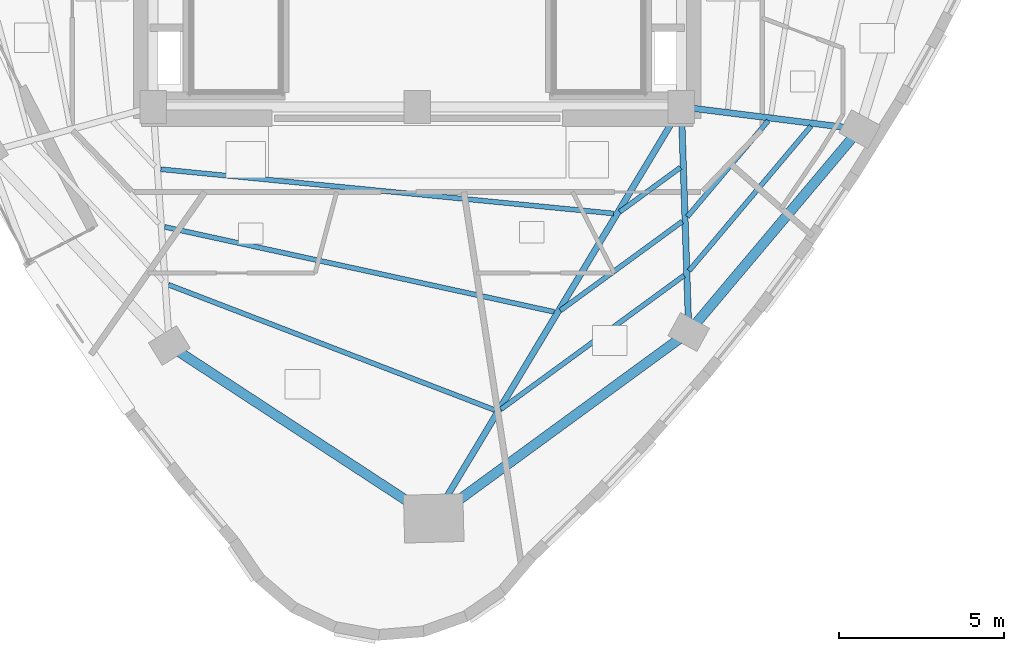
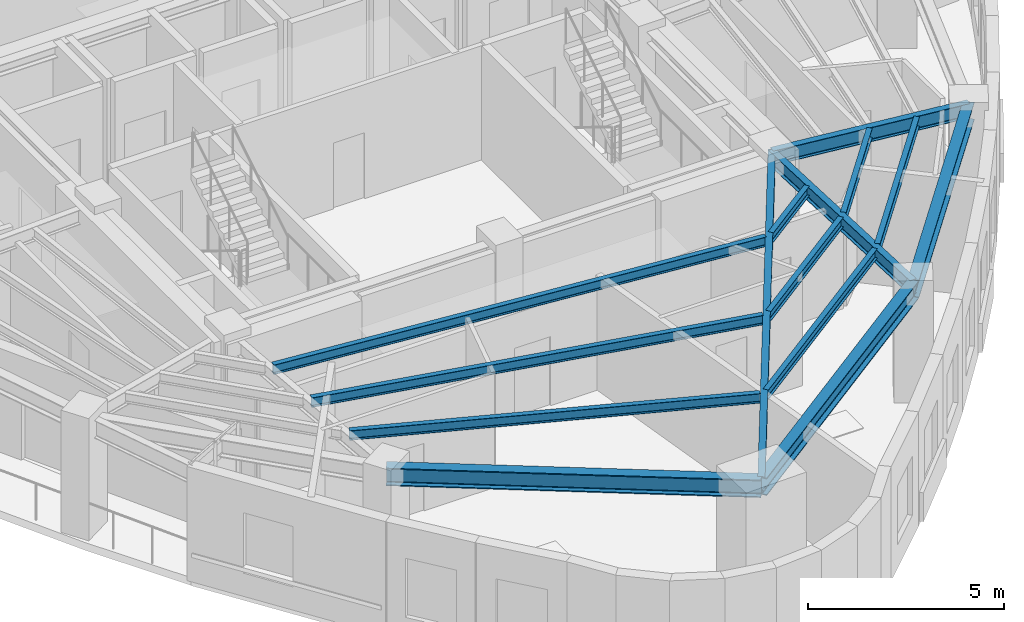
# One storey, part 3 of 12: 14 beams.
"""IFC4 building model written with IfcOpenShell, lengths in metres."""

from ifc_helpers import new_model, si_unit, direction, frame, origin, origin_2d, place, context, subcontext, project, spatial, i_section, extrude, material, material_profile, profile_set, type_object, element, save


model = new_model("IFC4")

# Units and contexts
model_context = context("Model", 3, precision=1e-05, world=origin(), true_north=direction((0.0, 1.0)))
body_context = subcontext(model_context, "Body", "Model", "MODEL_VIEW")
ifc_project = project(units=[si_unit("LENGTHUNIT", "METRE"), si_unit("AREAUNIT", "SQUARE_METRE"), si_unit("VOLUMEUNIT", "CUBIC_METRE"), si_unit("PLANEANGLEUNIT", "RADIAN"), si_unit("MASSUNIT", "GRAM", prefix="KILO")], contexts=[model_context])

# Site, building, storey
site_placement = place(None, origin())
site = spatial("IfcSite", under=ifc_project, at=site_placement, CompositionType="ELEMENT")
building_placement = place(site_placement, origin())
building = spatial("IfcBuilding", under=site, at=building_placement, Name="Ndelora Gate Hotel", CompositionType="ELEMENT")
storey_placement = place(building_placement, frame((0.0, 0.0, 201.75)))
storey = spatial("IfcBuildingStorey", under=building, at=storey_placement, Name="L50", CompositionType="ELEMENT", Elevation=201.75)

# Beams
ifc_material = material(Name="Steel S355", Category="steel")
ifc_material_profile_1 = material_profile(ifc_material, i_section(OverallWidth=0.14990234375, OverallDepth=0.300048828125, WebThickness=0.007080078125, FlangeThickness=0.0107421875, FilletRadius=0.014892578125, at=origin_2d()), Name="IPE 300")
ifc_profile_set_1 = profile_set([ifc_material_profile_1], Name="Steel S355")
beam_type_1 = type_object("IfcBeamType", Name="BM-JST-300", PredefinedType="JOIST", material=ifc_profile_set_1)
beam_1_placement = place(storey_placement, frame((-7.767578125, -8.489501953125, 3.39990234375), z_axis=(0.995253727902, -0.097314012848, 0.0), x_axis=(0.097314012848, 0.995253727902, 0.0)))
element("IfcBeam", 1, at=beam_1_placement, inside=storey, type_object=beam_type_1, Name="L50 Secondary Composite Floor Joist IN-4", PredefinedType="JOIST", context=body_context, shape_type="SweptSolid", body=[
    extrude(i_section(OverallWidth=0.14990234375, OverallDepth=0.300048828125, WebThickness=0.007080078125, FlangeThickness=0.0107421875, FilletRadius=0.014892578125, at=origin_2d()), origin(), (0.0, 0.0, 1.0), 13.7783203125),
])
beam_2_placement = place(storey_placement, frame((-7.651611328125, -10.236572265625, 3.39990234375), z_axis=(0.977032906758, -0.213088477191, 0.0), x_axis=(0.213088477191, 0.977032906758, 0.0)))
element("IfcBeam", 2, at=beam_2_placement, inside=storey, type_object=beam_type_1, Name="L50 Secondary Composite Floor Joist MID-4", PredefinedType="JOIST", context=body_context, shape_type="SweptSolid", body=[
    extrude(i_section(OverallWidth=0.14990234375, OverallDepth=0.300048828125, WebThickness=0.007080078125, FlangeThickness=0.0107421875, FilletRadius=0.014892578125, at=origin_2d()), origin(), (0.0, 0.0, 1.0), 12.075927734375),
])
beam_3_placement = place(storey_placement, frame((-7.5380859375, -11.98681640625, 3.39990234375), z_axis=(0.933489266504, -0.358605339227, 0.0), x_axis=(0.358605339227, 0.933489266504, 0.0)))
element("IfcBeam", 3, at=beam_3_placement, inside=storey, type_object=beam_type_1, Name="L50 Secondary Composite Floor Joist OUT-4", PredefinedType="JOIST", context=body_context, shape_type="SweptSolid", body=[
    extrude(i_section(OverallWidth=0.14990234375, OverallDepth=0.300048828125, WebThickness=0.007080078125, FlangeThickness=0.0107421875, FilletRadius=0.014892578125, at=origin_2d()), origin(), (0.0, 0.0, 1.0), 10.593994140625),
])
beam_4_placement = place(storey_placement, frame((6.134521484375, -9.77880859375, 3.39990234375), z_axis=(0.80739897839, 0.590005838696, 0.0), x_axis=(-0.590005838696, 0.80739897839, 0.0)))
element("IfcBeam", 4, at=beam_4_placement, inside=storey, type_object=beam_type_1, Name="L50 Secondary Composite Floor Joist IN-5", PredefinedType="JOIST", context=body_context, shape_type="SweptSolid", body=[
    extrude(i_section(OverallWidth=0.14990234375, OverallDepth=0.300048828125, WebThickness=0.007080078125, FlangeThickness=0.0107421875, FilletRadius=0.014892578125, at=origin_2d()), origin(), (0.0, 0.0, 1.0), 2.277587890625),
])
beam_5_placement = place(storey_placement, frame((4.33447265625, -12.77001953125, 3.39990234375), z_axis=(0.807439047151, 0.589951002318, 0.0), x_axis=(-0.589951002318, 0.807439047151, 0.0)))
element("IfcBeam", 5, at=beam_5_placement, inside=storey, type_object=beam_type_1, Name="L50 Secondary Composite Floor Joist MID-5", PredefinedType="JOIST", context=body_context, shape_type="SweptSolid", body=[
    extrude(i_section(OverallWidth=0.14990234375, OverallDepth=0.300048828125, WebThickness=0.007080078125, FlangeThickness=0.0107421875, FilletRadius=0.014892578125, at=origin_2d()), origin(), (0.0, 0.0, 1.0), 4.5732421875),
])
beam_6_placement = place(storey_placement, frame((2.5341796875, -15.761474609375, 3.39990234375), z_axis=(0.807430841486, 0.589962232874, 0.0), x_axis=(-0.589962232874, 0.807430841486, 0.0)))
element("IfcBeam", 6, at=beam_6_placement, inside=storey, type_object=beam_type_1, Name="L50 Secondary Composite Floor Joist OUT-5", PredefinedType="JOIST", context=body_context, shape_type="SweptSolid", body=[
    extrude(i_section(OverallWidth=0.14990234375, OverallDepth=0.300048828125, WebThickness=0.007080078125, FlangeThickness=0.0107421875, FilletRadius=0.014892578125, at=origin_2d()), origin(), (0.0, 0.0, 1.0), 6.869384765625),
])
beam_7_placement = place(storey_placement, frame((8.1796875, -9.9296875, 3.39990234375), z_axis=(0.644319387893, 0.764756514444, 0.0), x_axis=(-0.764756514444, 0.644319387893, 0.0)))
element("IfcBeam", 7, at=beam_7_placement, inside=storey, type_object=beam_type_1, Name="L50 Secondary Composite Floor Joist MID-6", PredefinedType="JOIST", context=body_context, shape_type="SweptSolid", body=[
    extrude(i_section(OverallWidth=0.14990234375, OverallDepth=0.300048828125, WebThickness=0.007080078125, FlangeThickness=0.0107421875, FilletRadius=0.014892578125, at=origin_2d()), origin(), (0.0, 0.0, 1.0), 3.806884765625),
])
beam_8_placement = place(storey_placement, frame((8.2333984375, -11.56640625, 3.39990234375), z_axis=(0.644324492463, 0.764752213735, 0.0), x_axis=(-0.764752213735, 0.644324492463, 0.0)))
element("IfcBeam", 8, at=beam_8_placement, inside=storey, type_object=beam_type_1, Name="L50 Secondary Composite Floor Joist OUT-6", PredefinedType="JOIST", context=body_context, shape_type="SweptSolid", body=[
    extrude(i_section(OverallWidth=0.14990234375, OverallDepth=0.300048828125, WebThickness=0.007080078125, FlangeThickness=0.0107421875, FilletRadius=0.014892578125, at=origin_2d()), origin(), (0.0, 0.0, 1.0), 5.735107421875),
])
ifc_material_profile_2 = material_profile(ifc_material, i_section(OverallWidth=0.18994140625, OverallDepth=0.449951171875, WebThickness=0.009521484375, FlangeThickness=0.0146484375, FilletRadius=0.02099609375, at=origin_2d()), Name="IPE 450")
ifc_profile_set_2 = profile_set([ifc_material_profile_2], Name="Steel S355")
beam_type_2 = type_object("IfcBeamType", Name="BM-RAD-450", PredefinedType="BEAM", material=ifc_profile_set_2)
beam_9_placement = place(storey_placement, frame((8.0, -6.60009765625, 3.324951171875), z_axis=(-0.515620753203, -0.856816922607, 0.0), x_axis=(0.856816922607, -0.515620753203, 0.0)))
element("IfcBeam", 9, at=beam_9_placement, inside=storey, type_object=beam_type_2, Name="L50 Radial Floor Girder 5", PredefinedType="BEAM", context=body_context, shape_type="SweptSolid", body=[
    extrude(i_section(OverallWidth=0.18994140625, OverallDepth=0.449951171875, WebThickness=0.009521484375, FlangeThickness=0.0146484375, FilletRadius=0.02099609375, at=origin_2d()), origin(), (0.0, 0.0, 1.0), 14.546875),
])
beam_10_placement = place(storey_placement, frame((8.0, -6.60009765625, 3.324951171875), z_axis=(0.032809705109, -0.999461616697, 0.0), x_axis=(0.999461616697, 0.032809705109, 0.0)))
element("IfcBeam", 10, at=beam_10_placement, inside=storey, type_object=beam_type_2, Name="L50 Radial Floor Girder 6", PredefinedType="BEAM", context=body_context, shape_type="SweptSolid", body=[
    extrude(i_section(OverallWidth=0.18994140625, OverallDepth=0.449951171875, WebThickness=0.009521484375, FlangeThickness=0.0146484375, FilletRadius=0.02099609375, at=origin_2d()), origin(), (0.0, 0.0, 1.0), 6.823486328125),
])
beam_11_placement = place(storey_placement, frame((8.0, -6.60009765625, 3.324951171875), z_axis=(0.992266830725, -0.124123070552, 0.0), x_axis=(0.124123070552, 0.992266830725, 0.0)))
element("IfcBeam", 11, at=beam_11_placement, inside=storey, type_object=beam_type_2, Name="L50 Radial Floor Girder 7", PredefinedType="BEAM", context=body_context, shape_type="SweptSolid", body=[
    extrude(i_section(OverallWidth=0.18994140625, OverallDepth=0.449951171875, WebThickness=0.009521484375, FlangeThickness=0.0146484375, FilletRadius=0.02099609375, at=origin_2d()), origin(), (0.0, 0.0, 1.0), 5.4423828125),
])
ifc_material_profile_3 = material_profile(ifc_material, i_section(OverallWidth=0.300048828125, OverallDepth=0.550048828125, WebThickness=0.014892578125, FlangeThickness=0.029052734375, FilletRadius=0.027099609375, at=origin_2d()), Name="HEB 550")
ifc_profile_set_3 = profile_set([ifc_material_profile_3], Name="Steel S355")
beam_type_3 = type_object("IfcBeamType", Name="BM-RING-550", PredefinedType="SPANDREL", material=ifc_profile_set_3)
beam_12_placement = place(storey_placement, frame((-7.50830078125, -13.828369140625, 3.27490234375), z_axis=(0.836963769915, -0.547258300851, 0.0), x_axis=(0.547258300851, 0.836963769915, 0.0)))
element("IfcBeam", 12, at=beam_12_placement, inside=storey, type_object=beam_type_3, Name="L50 Perimeter Spandrel Girder 4", PredefinedType="SPANDREL", context=body_context, shape_type="SweptSolid", body=[
    extrude(i_section(OverallWidth=0.300048828125, OverallDepth=0.550048828125, WebThickness=0.014892578125, FlangeThickness=0.029052734375, FilletRadius=0.027099609375, at=origin_2d()), origin(), (0.0, 0.0, 1.0), 9.5673828125),
])
beam_13_placement = place(storey_placement, frame((0.499267578125, -19.064208984375, 3.27490234375), z_axis=(0.807421980226, 0.58997436033, 0.0), x_axis=(-0.58997436033, 0.807421980226, 0.0)))
element("IfcBeam", 13, at=beam_13_placement, inside=storey, type_object=beam_type_3, Name="L50 Perimeter Spandrel Girder 5", PredefinedType="SPANDREL", context=body_context, shape_type="SweptSolid", body=[
    extrude(i_section(OverallWidth=0.300048828125, OverallDepth=0.550048828125, WebThickness=0.014892578125, FlangeThickness=0.029052734375, FilletRadius=0.027099609375, at=origin_2d()), origin(), (0.0, 0.0, 1.0), 9.56689453125),
])
beam_14_placement = place(storey_placement, frame((8.223876953125, -13.419921875, 3.27490234375), z_axis=(0.644308845181, 0.764765396721, 0.0), x_axis=(-0.764765396721, 0.644308845181, 0.0)))
element("IfcBeam", 14, at=beam_14_placement, inside=storey, type_object=beam_type_3, Name="L50 Perimeter Spandrel Girder 6", PredefinedType="SPANDREL", context=body_context, shape_type="SweptSolid", body=[
    extrude(i_section(OverallWidth=0.300048828125, OverallDepth=0.550048828125, WebThickness=0.014892578125, FlangeThickness=0.029052734375, FilletRadius=0.027099609375, at=origin_2d()), origin(), (0.0, 0.0, 1.0), 8.0341796875),
])

save(model, "model.ifc")
